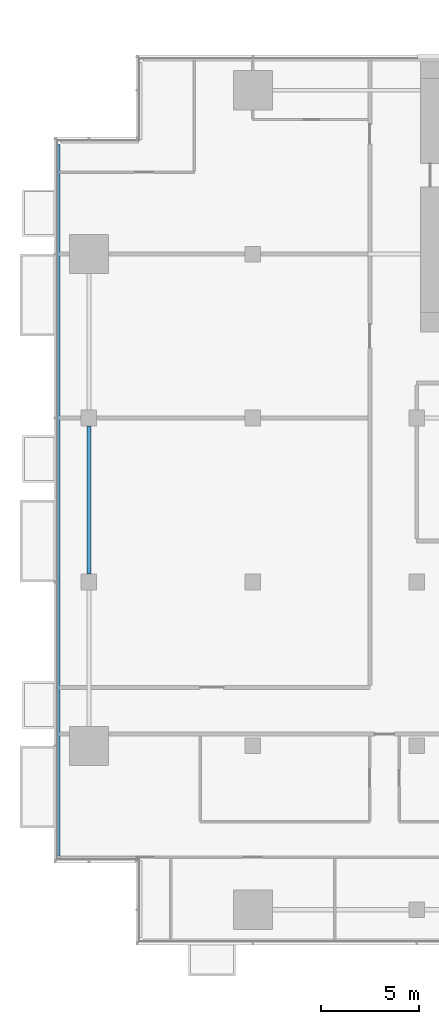
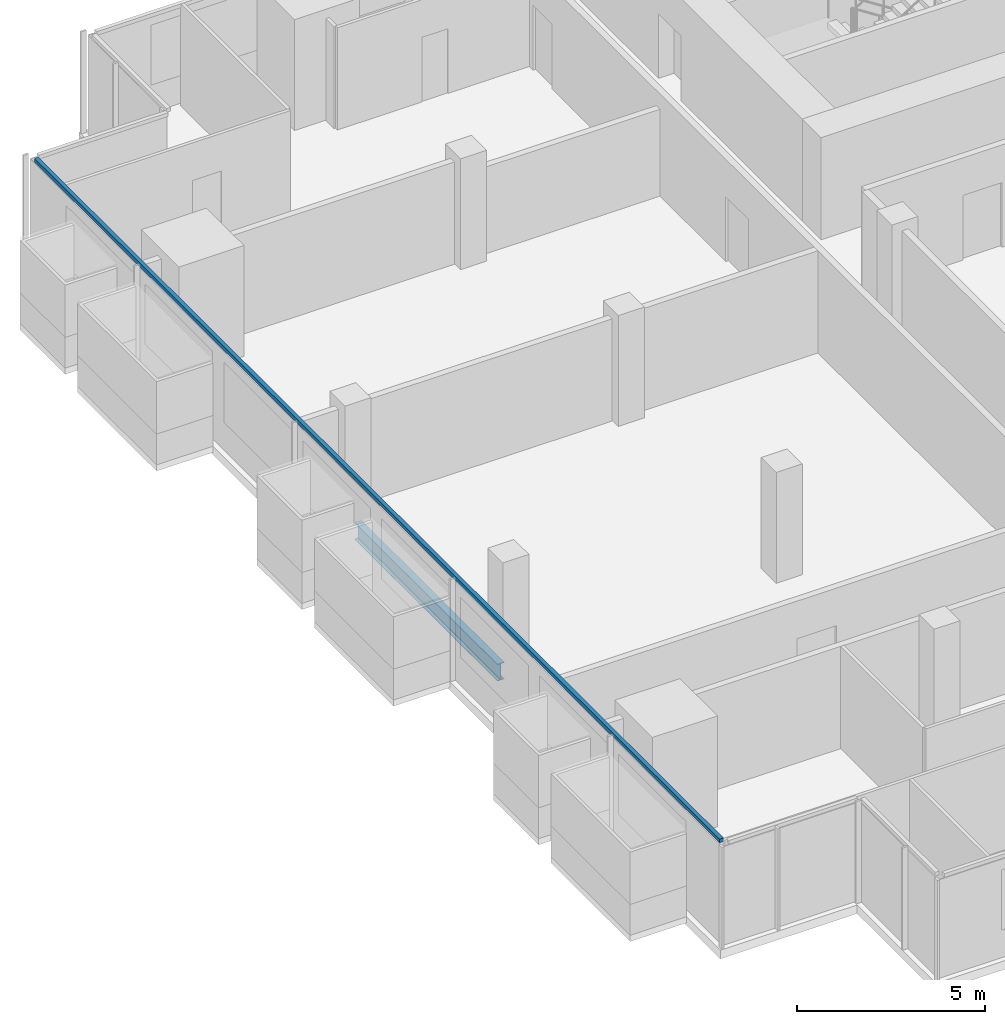
# One storey, part 3 of 26: 1 beam, 1 member, 1 element without a shape of its own.
"""IFC4 building model written with IfcOpenShell, lengths in metres."""

from ifc_helpers import new_model, si_unit, direction, frame, origin, origin_2d, place, context, subcontext, project, spatial, rectangle, i_section, extrude, material, material_profile, profile_set, type_object, element, aggregate, save


model = new_model("IFC4")

# Units and contexts
model_context = context("Model", 3, precision=1e-05, world=origin(), true_north=direction((0.0, 1.0)))
body_context = subcontext(model_context, "Body", "Model", "MODEL_VIEW")
ifc_project = project(units=[si_unit("LENGTHUNIT", "METRE"), si_unit("AREAUNIT", "SQUARE_METRE"), si_unit("VOLUMEUNIT", "CUBIC_METRE"), si_unit("PLANEANGLEUNIT", "RADIAN"), si_unit("MASSUNIT", "GRAM", prefix="KILO")], contexts=[model_context])

# Site, building, storey
site_placement = place(None, origin())
site = spatial("IfcSite", under=ifc_project, at=site_placement, CompositionType="ELEMENT")
building_placement = place(site_placement, origin())
building = spatial("IfcBuilding", under=site, at=building_placement, Name="Saffron Gate Tower", CompositionType="ELEMENT")
storey_placement = place(building_placement, frame((0.0, 0.0, 98.85009765625)))
storey = spatial("IfcBuildingStorey", under=building, at=storey_placement, Name="L22", CompositionType="ELEMENT", Elevation=98.85009765625)

# Beam
ifc_material_1 = material(Name="Structural steel S355", Category="steel")
ifc_material_profile_1 = material_profile(ifc_material_1, i_section(OverallWidth=0.2099609375, OverallDepth=0.550048828125, WebThickness=0.010986328125, FlangeThickness=0.01708984375, FilletRadius=0.02392578125, at=origin_2d()))
ifc_profile_set_1 = profile_set([ifc_material_profile_1], Name="Structural steel S355")
beam_type = type_object("IfcBeamType", Name="B13 IPE 550", PredefinedType="SPANDREL", material=ifc_profile_set_1)
beam_placement = place(storey_placement, frame((49.800048828125, 49.0, -0.55517578125), z_axis=(0.0, 1.0, 0.0), x_axis=(-1.0, 0.0, 0.0)))
element("IfcBeam", 1, at=beam_placement, inside=storey, type_object=beam_type, Name="B13 SPANDREL BEAM", PredefinedType="SPANDREL", context=body_context, shape_type="SweptSolid", body=[
    extrude(i_section(OverallWidth=0.2099609375, OverallDepth=0.550048828125, WebThickness=0.010986328125, FlangeThickness=0.01708984375, FilletRadius=0.02392578125, at=origin_2d()), origin(), (0.0, 0.0, 1.0), 7.60009765625),
])

# Curtain wall, member
ifc_material_2 = material(Name="Aluminium, bronze anodised", Category="aluminium")
curtain_wall_type = type_object("IfcCurtainWallType", Name="CWS2 curtain wall side facades", PredefinedType="NOTDEFINED", material=ifc_material_2)
curtain_wall_placement = place(storey_placement, origin())
curtain_wall = element("IfcCurtainWall", 2, at=curtain_wall_placement, inside=storey, type_object=curtain_wall_type, Name="CWS2 run 10", PredefinedType="NOTDEFINED")
ifc_material_profile_2 = material_profile(ifc_material_2, rectangle(XDim=0.1201171875, YDim=0.1201171875, at=origin_2d()))
ifc_profile_set_2 = profile_set([ifc_material_profile_2], Name="Aluminium, bronze anodised")
member_type = type_object("IfcMemberType", Name="CWS2 head transom", PredefinedType="USERDEFINED", material=ifc_profile_set_2)
member_placement = place(storey_placement, frame((48.248046875, 71.031982421875, 3.260009765625), z_axis=(0.0, -1.0, 0.0), x_axis=(1.0, 0.0, 0.0)))
member = element("IfcMember", 3, at=member_placement, type_object=member_type, Name="CWS2 head transom", ObjectType="TRANSOM", PredefinedType="USERDEFINED", context=body_context, shape_type="SweptSolid", body=[
    extrude(rectangle(XDim=0.1201171875, YDim=0.1201171875, at=origin_2d()), origin(), (0.0, 0.0, 1.0), 36.4638671875),
])
aggregate(curtain_wall, [member])

save(model, "model.ifc")
